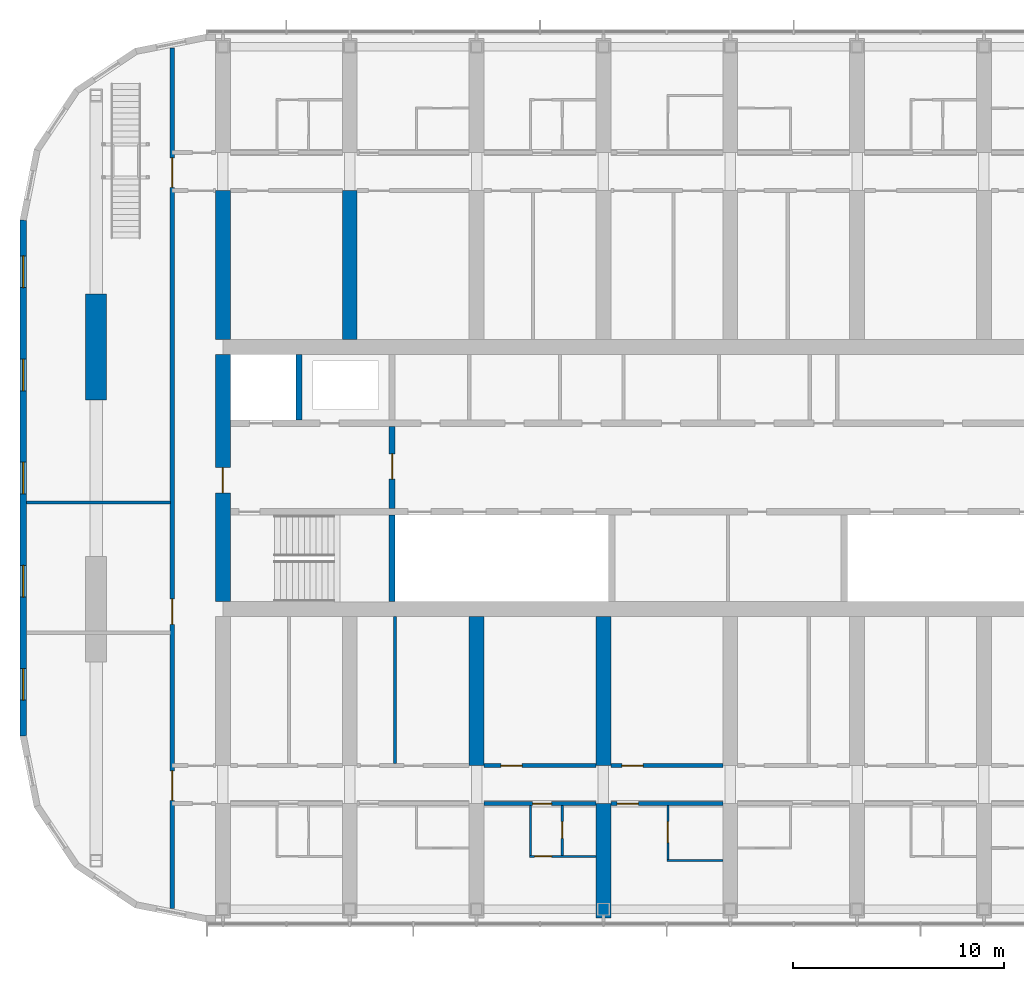
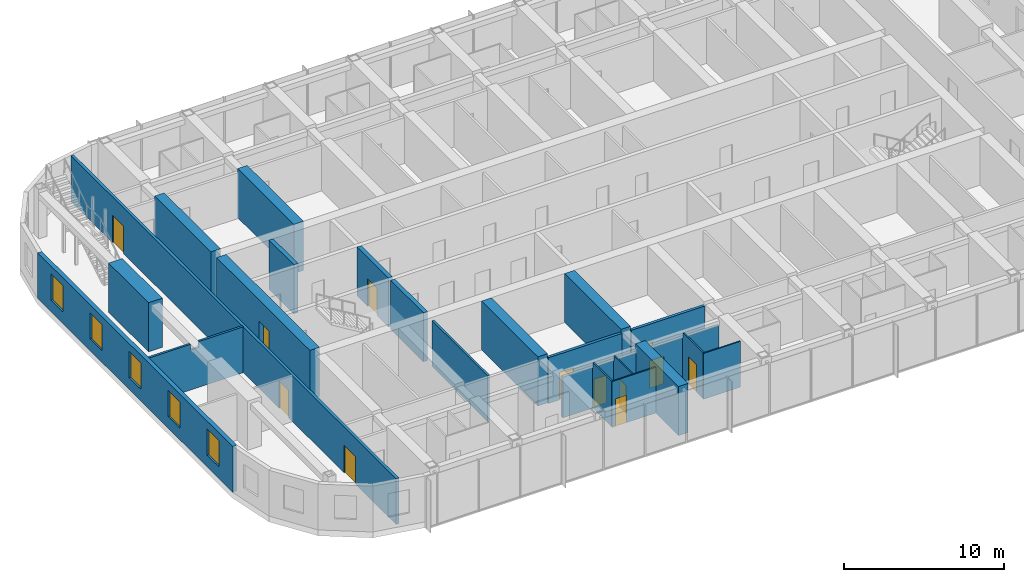
# One storey, part 13 of 26: 23 walls, 12 doors, 5 windows, 17 openings.
"""IFC4 building model written with IfcOpenShell, lengths in metres."""

from ifc_helpers import new_model, si_unit, direction, frame, frame_2d, origin, place, context, subcontext, project, spatial, polyline, rectangle, outline, extrude, material, layer, layer_set, type_object, element, fill, save


model = new_model("IFC4")

# Units and contexts
model_context = context("Model", 3, precision=1e-05, world=origin(), true_north=direction((0.0, 1.0)))
body_context = subcontext(model_context, "Body", "Model", "MODEL_VIEW")
ifc_project = project(units=[si_unit("LENGTHUNIT", "METRE"), si_unit("AREAUNIT", "SQUARE_METRE"), si_unit("VOLUMEUNIT", "CUBIC_METRE"), si_unit("PLANEANGLEUNIT", "RADIAN"), si_unit("MASSUNIT", "GRAM", prefix="KILO")], contexts=[model_context])

# Site, building, storey
site_placement = place(None, origin())
site = spatial("IfcSite", under=ifc_project, at=site_placement, CompositionType="ELEMENT")
building_placement = place(site_placement, origin())
building = spatial("IfcBuilding", under=site, at=building_placement, Name="Orbita Commons", CompositionType="ELEMENT")
storey_placement = place(building_placement, frame((0.0, 0.0, 231.550048828125)))
storey = spatial("IfcBuildingStorey", under=building, at=storey_placement, Name="L57", CompositionType="ELEMENT", Elevation=231.550048828125)

# Wall
ifc_material_1 = material(Name="Concrete C50/60", Category="concrete")
ifc_layer_1 = layer(ifc_material_1, 0.300048828125)
ifc_layer_set_1 = layer_set([ifc_layer_1], Name="Concrete C50/60")
wall_type_1 = type_object("IfcWallType", Name="Core inner wall 300 C50/60", PredefinedType="SHEAR", material=ifc_layer_set_1)
wall_1_placement = place(storey_placement, frame((26.0, 26.14990234375, 0.0), z_axis=(0.0, 0.0, 1.0), x_axis=(0.0, 1.0, 0.0)))
element("IfcWall", 1, at=wall_1_placement, inside=storey, type_object=wall_type_1, Name="Stair S1 wall L57", PredefinedType="SHEAR", context=body_context, shape_type="SweptSolid", body=[
    extrude(rectangle(XDim=4.10009765625, YDim=0.300048828125, at=frame_2d((2.050048828125, 0.0))), origin(), (0.0, 0.0, 1.0), 3.75),
])

# Wall, opening, door
wall_2_placement = place(storey_placement, frame((26.0, 30.550048828125, 0.0), z_axis=(0.0, 0.0, 1.0), x_axis=(0.0, 1.0, 0.0)))
wall_2 = element("IfcWall", 2, at=wall_2_placement, inside=storey, type_object=wall_type_1, Name="Firefighting lobby wall west L57", PredefinedType="SHEAR", context=body_context, shape_type="SweptSolid", body=[
    extrude(rectangle(XDim=3.89990234375, YDim=0.300048828125, at=frame_2d((1.949951171875, 0.0))), origin(), (0.0, 0.0, 1.0), 3.75),
])
opening_1_placement = place(wall_2_placement, frame((1.39990234375, 0.0, 0.0)))
opening_1 = element("IfcOpeningElement", 3, at=opening_1_placement, cuts=wall_2, Name="Opening D04", PredefinedType="OPENING", context=body_context, shape_type="SweptSolid", body=[
    extrude(rectangle(XDim=1.199951171875, YDim=2.10009765625, at=frame_2d((0.60009765625, 1.050048828125))), frame((0.0, 0.159912109375, 0.0), z_axis=(0.0, -1.0, 0.0), x_axis=(1.0, 0.0, 0.0)), (0.0, 0.0, 1.0), 0.320068359375),
])
ifc_material_2 = material(Name="Steel-faced fire door leaf", Category="steel")
door_type_1 = type_object("IfcDoorType", Name="Service door 20 min 1200x2100", OperationType="SINGLE_SWING_LEFT", PredefinedType="DOOR", material=ifc_material_2)
door_1_placement = place(opening_1_placement, origin())
door_1 = element("IfcDoor", 4, at=door_1_placement, inside=storey, type_object=door_type_1, Name="Lift lobby door west", OperationType="SINGLE_SWING_LEFT", OverallHeight=2.10009765625, OverallWidth=1.199951171875, PredefinedType="DOOR", context=body_context, shape_type="SweptSolid", body=[
    extrude(rectangle(XDim=1.199951171875, YDim=2.10009765625, at=frame_2d((0.60009765625, 1.050048828125))), frame((0.0, 0.02490234375, 0.0), z_axis=(0.0, -1.0, 0.0), x_axis=(1.0, 0.0, 0.0)), (0.0, 0.0, 1.0), 0.050048828125),
])
fill(opening_1, door_1)

# Wall
wall_3_placement = place(storey_placement, frame((21.60009765625, 34.75, 0.0), z_axis=(0.0, 0.0, 1.0), x_axis=(0.0, 1.0, 0.0)))
element("IfcWall", 5, at=wall_3_placement, inside=storey, type_object=wall_type_1, Name="Firefighting lift FL1 shaft wall L57", PredefinedType="SHEAR", context=body_context, shape_type="SweptSolid", body=[
    extrude(rectangle(XDim=3.10009765625, YDim=0.300048828125, at=frame_2d((1.550048828125, 0.0))), origin(), (0.0, 0.0, 1.0), 3.75),
])

# Wall, opening, door
ifc_material_3 = material(Name="Concrete C50/60", Category="concrete")
ifc_layer_2 = layer(ifc_material_3, 0.699951171875)
ifc_layer_set_2 = layer_set([ifc_layer_2], Name="Concrete C50/60")
wall_type_2 = type_object("IfcWallType", Name="Core wall 700 C50/60", PredefinedType="SHEAR", material=ifc_layer_set_2)
wall_4_placement = place(storey_placement, frame((18.0, 26.14990234375, 0.0), z_axis=(0.0, 0.0, 1.0), x_axis=(0.0, 1.0, 0.0)))
wall_4 = element("IfcWall", 6, at=wall_4_placement, inside=storey, type_object=wall_type_2, Name="Core end wall west L57", PredefinedType="SHEAR", context=body_context, shape_type="SweptSolid", body=[
    extrude(rectangle(XDim=11.7001953125, YDim=0.699951171875, at=frame_2d((5.85009765625, 0.0))), origin(), (0.0, 0.0, 1.0), 3.75),
])
opening_2_placement = place(wall_4_placement, frame((5.14990234375, 0.0, 0.0)))
opening_2 = element("IfcOpeningElement", 7, at=opening_2_placement, cuts=wall_4, Name="Opening D01", PredefinedType="OPENING", context=body_context, shape_type="SweptSolid", body=[
    extrude(rectangle(XDim=1.199951171875, YDim=2.10009765625, at=frame_2d((0.60009765625, 1.050048828125))), frame((0.0, 0.35986328125, 0.0), z_axis=(0.0, -1.0, 0.0), x_axis=(1.0, 0.0, 0.0)), (0.0, 0.0, 1.0), 0.719970703125),
])
ifc_material_4 = material(Name="Steel-faced fire door leaf", Category="steel")
door_type_2 = type_object("IfcDoorType", Name="Fire door 90 min 1200x2100", OperationType="SINGLE_SWING_LEFT", PredefinedType="DOOR", material=ifc_material_4)
door_2_placement = place(opening_2_placement, origin())
door_2 = element("IfcDoor", 8, at=door_2_placement, inside=storey, type_object=door_type_2, Name="Firefighting lobby west door", OperationType="SINGLE_SWING_LEFT", OverallHeight=2.10009765625, OverallWidth=1.199951171875, PredefinedType="DOOR", context=body_context, shape_type="SweptSolid", body=[
    extrude(rectangle(XDim=1.199951171875, YDim=2.10009765625, at=frame_2d((0.60009765625, 1.050048828125))), frame((0.0, 0.02490234375, 0.0), z_axis=(0.0, -1.0, 0.0), x_axis=(1.0, 0.0, 0.0)), (0.0, 0.0, 1.0), 0.050048828125),
])
fill(opening_2, door_2)

ifc_material_5 = material(Name="Concrete blockwork", Category="masonry")
ifc_layer_3 = layer(ifc_material_5, 0.199951171875)
ifc_layer_set_3 = layer_set([ifc_layer_3], Name="Concrete blockwork")
wall_type_3 = type_object("IfcWallType", Name="Corridor wall 200 blockwork", PredefinedType="SOLIDWALL", material=ifc_layer_set_3)
wall_5_placement = place(storey_placement, frame((30.35009765625, 16.60009765625, 0.0), z_axis=(0.0, 0.0, 1.0), x_axis=(1.0, 0.0, 0.0)))
wall_5 = element("IfcWall", 9, at=wall_5_placement, inside=storey, type_object=wall_type_3, Name="Corridor wall 200 blockwork L57", PredefinedType="SOLIDWALL", context=body_context, shape_type="SweptSolid", body=[
    extrude(outline(polyline([(0.0, 0.0), (5.2998046875, 0.0), (5.300048828125, 3.099853515625), (0.0, 3.099853515625), (0.0, 0.0)])), frame((0.0, 0.10009765625, 0.0), z_axis=(0.0, -1.0, 0.0), x_axis=(1.0, 0.0, 0.0)), (0.0, 0.0, 1.0), 0.199951171875),
])
opening_3_placement = place(wall_5_placement, frame((2.300048828125, 0.0, 0.0)))
opening_3 = element("IfcOpeningElement", 10, at=opening_3_placement, cuts=wall_5, Name="Opening D11", PredefinedType="OPENING", context=body_context, shape_type="SweptSolid", body=[
    extrude(rectangle(XDim=0.89990234375, YDim=2.10009765625, at=frame_2d((0.449951171875, 1.050048828125))), frame((0.0, 0.10986328125, 0.0), z_axis=(0.0, -1.0, 0.0), x_axis=(1.0, 0.0, 0.0)), (0.0, 0.0, 1.0), 0.219970703125),
])
ifc_material_6 = material(Name="Steel-faced fire door leaf", Category="steel")
door_type_3 = type_object("IfcDoorType", Name="Corridor door 20 min 900x2100", OperationType="SINGLE_SWING_LEFT", PredefinedType="DOOR", material=ifc_material_6)
door_3_placement = place(opening_3_placement, origin())
door_3 = element("IfcDoor", 11, at=door_3_placement, inside=storey, type_object=door_type_3, Name="Studio flat L57-S04 entrance door", OperationType="SINGLE_SWING_LEFT", OverallHeight=2.10009765625, OverallWidth=0.89990234375, PredefinedType="DOOR", context=body_context, shape_type="SweptSolid", body=[
    extrude(rectangle(XDim=0.89990234375, YDim=2.10009765625, at=frame_2d((0.449951171875, 1.050048828125))), frame((0.0, 0.02490234375, 0.0), z_axis=(0.0, -1.0, 0.0), x_axis=(1.0, 0.0, 0.0)), (0.0, 0.0, 1.0), 0.050048828125),
])
fill(opening_3, door_3)

wall_6_placement = place(storey_placement, frame((36.35009765625, 16.60009765625, 0.0), z_axis=(0.0, 0.0, 1.0), x_axis=(1.0, 0.0, 0.0)))
wall_6 = element("IfcWall", 12, at=wall_6_placement, inside=storey, type_object=wall_type_3, Name="Corridor wall 200 blockwork L57", PredefinedType="SOLIDWALL", context=body_context, shape_type="SweptSolid", body=[
    extrude(outline(polyline([(0.0, 0.0), (5.2998046875, 0.0), (5.300048828125, 3.099853515625), (0.0, 3.099853515625), (0.0, 0.0)])), frame((0.0, 0.10009765625, 0.0), z_axis=(0.0, -1.0, 0.0), x_axis=(1.0, 0.0, 0.0)), (0.0, 0.0, 1.0), 0.199951171875),
])
opening_4_placement = place(wall_6_placement, frame((0.300048828125, 0.0, 0.0)))
opening_4 = element("IfcOpeningElement", 13, at=opening_4_placement, cuts=wall_6, Name="Opening D06", PredefinedType="OPENING", context=body_context, shape_type="SweptSolid", body=[
    extrude(rectangle(XDim=1.0, YDim=2.10009765625, at=frame_2d((0.5, 1.050048828125))), frame((0.0, 0.10986328125, 0.0), z_axis=(0.0, -1.0, 0.0), x_axis=(1.0, 0.0, 0.0)), (0.0, 0.0, 1.0), 0.219970703125),
])
ifc_material_7 = material(Name="Steel-faced fire door leaf", Category="steel")
door_type_4 = type_object("IfcDoorType", Name="Corridor door 20 min 1000x2100", OperationType="SINGLE_SWING_LEFT", PredefinedType="DOOR", material=ifc_material_7)
door_4_placement = place(opening_4_placement, origin())
door_4 = element("IfcDoor", 14, at=door_4_placement, inside=storey, type_object=door_type_4, Name="Accessible bedroom L57-S06 door", OperationType="SINGLE_SWING_LEFT", OverallHeight=2.10009765625, OverallWidth=1.0, PredefinedType="DOOR", context=body_context, shape_type="SweptSolid", body=[
    extrude(rectangle(XDim=1.0, YDim=2.10009765625, at=frame_2d((0.5, 1.050048828125))), frame((0.0, 0.02490234375, 0.0), z_axis=(0.0, -1.0, 0.0), x_axis=(1.0, 0.0, 0.0)), (0.0, 0.0, 1.0), 0.050048828125),
])
fill(opening_4, door_4)

# Wall, openings, doors
wall_7_placement = place(storey_placement, frame((15.60009765625, 11.646240234375, 0.0), z_axis=(0.0, 0.0, 1.0), x_axis=(0.0, 1.0, 0.0)))
wall_7 = element("IfcWall", 15, at=wall_7_placement, inside=storey, type_object=wall_type_3, Name="Corridor wall 200 blockwork L57", PredefinedType="SOLIDWALL", context=body_context, shape_type="SweptSolid", body=[
    extrude(rectangle(XDim=40.70751953125, YDim=0.199951171875, at=frame_2d((20.353759765625, 0.0))), origin(), (0.0, 0.0, 1.0), 3.5),
])
opening_5_placement = place(wall_7_placement, frame((13.433837890625, 0.0, 0.0)))
opening_5 = element("IfcOpeningElement", 16, at=opening_5_placement, cuts=wall_7, Name="Opening D15", PredefinedType="OPENING", context=body_context, shape_type="SweptSolid", body=[
    extrude(rectangle(XDim=1.199951171875, YDim=2.10009765625, at=frame_2d((0.60009765625, 1.050048828125))), frame((0.0, 0.10986328125, 0.0), z_axis=(0.0, -1.0, 0.0), x_axis=(1.0, 0.0, 0.0)), (0.0, 0.0, 1.0), 0.219970703125),
])
opening_6_placement = place(wall_7_placement, frame((5.103759765625, 0.0, 0.0)))
opening_6 = element("IfcOpeningElement", 17, at=opening_6_placement, cuts=wall_7, Name="Opening D08", PredefinedType="OPENING", context=body_context, shape_type="SweptSolid", body=[
    extrude(rectangle(XDim=1.39990234375, YDim=2.10009765625, at=frame_2d((0.699951171875, 1.050048828125))), frame((0.0, 0.10986328125, 0.0), z_axis=(0.0, -1.0, 0.0), x_axis=(1.0, 0.0, 0.0)), (0.0, 0.0, 1.0), 0.219970703125),
])
opening_7_placement = place(wall_7_placement, frame((34.103759765625, 0.0, 0.0)))
opening_7 = element("IfcOpeningElement", 18, at=opening_7_placement, cuts=wall_7, Name="Opening D08", PredefinedType="OPENING", context=body_context, shape_type="SweptSolid", body=[
    extrude(rectangle(XDim=1.39990234375, YDim=2.10009765625, at=frame_2d((0.699951171875, 1.050048828125))), frame((0.0, 0.10986328125, 0.0), z_axis=(0.0, -1.0, 0.0), x_axis=(1.0, 0.0, 0.0)), (0.0, 0.0, 1.0), 0.219970703125),
])
ifc_material_8 = material(Name="Steel-faced fire door leaf", Category="steel")
door_type_5 = type_object("IfcDoorType", Name="Corridor door 20 min 1200x2100", OperationType="SINGLE_SWING_LEFT", PredefinedType="DOOR", material=ifc_material_8)
door_5_placement = place(opening_5_placement, origin())
door_5 = element("IfcDoor", 19, at=door_5_placement, inside=storey, type_object=door_type_5, Name="Study hall door", OperationType="SINGLE_SWING_LEFT", OverallHeight=2.10009765625, OverallWidth=1.199951171875, PredefinedType="DOOR", context=body_context, shape_type="SweptSolid", body=[
    extrude(rectangle(XDim=1.199951171875, YDim=2.10009765625, at=frame_2d((0.60009765625, 1.050048828125))), frame((0.0, 0.02490234375, 0.0), z_axis=(0.0, -1.0, 0.0), x_axis=(1.0, 0.0, 0.0)), (0.0, 0.0, 1.0), 0.050048828125),
])
fill(opening_5, door_5)
ifc_material_9 = material(Name="Steel-faced fire door leaf", Category="steel")
door_type_6 = type_object("IfcDoorType", Name="Double corridor door 20 min 1400x2100", OperationType="DOUBLE_DOOR_SINGLE_SWING", PredefinedType="DOOR", material=ifc_material_9)
door_6_placement = place(opening_6_placement, origin())
door_6 = element("IfcDoor", 20, at=door_6_placement, inside=storey, type_object=door_type_6, Name="Lounge doors", OperationType="DOUBLE_DOOR_SINGLE_SWING", OverallHeight=2.10009765625, OverallWidth=1.39990234375, PredefinedType="DOOR", context=body_context, shape_type="SweptSolid", body=[
    extrude(rectangle(XDim=1.39990234375, YDim=2.10009765625, at=frame_2d((0.699951171875, 1.050048828125))), frame((0.0, 0.02490234375, 0.0), z_axis=(0.0, -1.0, 0.0), x_axis=(1.0, 0.0, 0.0)), (0.0, 0.0, 1.0), 0.050048828125),
])
fill(opening_6, door_6)
door_7_placement = place(opening_7_placement, origin())
door_7 = element("IfcDoor", 21, at=door_7_placement, inside=storey, type_object=door_type_6, Name="Lounge doors", OperationType="DOUBLE_DOOR_SINGLE_SWING", OverallHeight=2.10009765625, OverallWidth=1.39990234375, PredefinedType="DOOR", context=body_context, shape_type="SweptSolid", body=[
    extrude(rectangle(XDim=1.39990234375, YDim=2.10009765625, at=frame_2d((0.699951171875, 1.050048828125))), frame((0.0, 0.02490234375, 0.0), z_axis=(0.0, -1.0, 0.0), x_axis=(1.0, 0.0, 0.0)), (0.0, 0.0, 1.0), 0.050048828125),
])
fill(opening_7, door_7)

# Wall, opening, door
ifc_material_10 = material(Name="Hollow concrete block 200", Category="concrete")
ifc_layer_4 = layer(ifc_material_10, 0.199951171875)
ifc_layer_set_4 = layer_set([ifc_layer_4], Name="Hollow concrete block 200")
wall_type_4 = type_object("IfcWallType", Name="Corridor wall 200 hollow concrete block", PredefinedType="SOLIDWALL", material=ifc_layer_set_4)
wall_8_placement = place(storey_placement, frame((30.35009765625, 18.39990234375, 0.0), z_axis=(0.0, 0.0, 1.0), x_axis=(1.0, 0.0, 0.0)))
wall_8 = element("IfcWall", 22, at=wall_8_placement, inside=storey, type_object=wall_type_4, Name="Corridor wall 200 hollow concrete block L57", PredefinedType="SOLIDWALL", context=body_context, shape_type="SweptSolid", body=[
    extrude(rectangle(XDim=5.2998046875, YDim=0.199951171875, at=frame_2d((2.64990234375, 0.0))), origin(), (0.0, 0.0, 1.0), 3.5),
])
opening_8_placement = place(wall_8_placement, frame((0.800048828125, 0.0, 0.0)))
opening_8 = element("IfcOpeningElement", 23, at=opening_8_placement, cuts=wall_8, Name="Opening D06", PredefinedType="OPENING", context=body_context, shape_type="SweptSolid", body=[
    extrude(rectangle(XDim=1.0, YDim=2.10009765625, at=frame_2d((0.5, 1.050048828125))), frame((0.0, 0.10986328125, 0.0), z_axis=(0.0, -1.0, 0.0), x_axis=(1.0, 0.0, 0.0)), (0.0, 0.0, 1.0), 0.219970703125),
])
door_8_placement = place(opening_8_placement, origin())
door_8 = element("IfcDoor", 24, at=door_8_placement, inside=storey, type_object=door_type_4, Name="Pantry L57-BDS30 door", OperationType="SINGLE_SWING_LEFT", OverallHeight=2.10009765625, OverallWidth=1.0, PredefinedType="DOOR", context=body_context, shape_type="SweptSolid", body=[
    extrude(rectangle(XDim=1.0, YDim=2.10009765625, at=frame_2d((0.5, 1.050048828125))), frame((0.0, 0.02490234375, 0.0), z_axis=(0.0, -1.0, 0.0), x_axis=(1.0, 0.0, 0.0)), (0.0, 0.0, 1.0), 0.050048828125),
])
fill(opening_8, door_8)

wall_9_placement = place(storey_placement, frame((36.35009765625, 18.39990234375, 0.0), z_axis=(0.0, 0.0, 1.0), x_axis=(1.0, 0.0, 0.0)))
wall_9 = element("IfcWall", 25, at=wall_9_placement, inside=storey, type_object=wall_type_4, Name="Corridor wall 200 hollow concrete block L57", PredefinedType="SOLIDWALL", context=body_context, shape_type="SweptSolid", body=[
    extrude(rectangle(XDim=5.2998046875, YDim=0.199951171875, at=frame_2d((2.64990234375, 0.0))), origin(), (0.0, 0.0, 1.0), 3.5),
])
opening_9_placement = place(wall_9_placement, frame((0.52490234375, 0.0, 0.0)))
opening_9 = element("IfcOpeningElement", 26, at=opening_9_placement, cuts=wall_9, Name="Opening D06", PredefinedType="OPENING", context=body_context, shape_type="SweptSolid", body=[
    extrude(rectangle(XDim=1.0, YDim=2.10009765625, at=frame_2d((0.5, 1.050048828125))), frame((0.0, 0.10986328125, 0.0), z_axis=(0.0, -1.0, 0.0), x_axis=(1.0, 0.0, 0.0)), (0.0, 0.0, 1.0), 0.219970703125),
])
door_9_placement = place(opening_9_placement, origin())
door_9 = element("IfcDoor", 27, at=door_9_placement, inside=storey, type_object=door_type_4, Name="IT and print room L57-BDS36 door", OperationType="SINGLE_SWING_LEFT", OverallHeight=2.10009765625, OverallWidth=1.0, PredefinedType="DOOR", context=body_context, shape_type="SweptSolid", body=[
    extrude(rectangle(XDim=1.0, YDim=2.10009765625, at=frame_2d((0.5, 1.050048828125))), frame((0.0, 0.02490234375, 0.0), z_axis=(0.0, -1.0, 0.0), x_axis=(1.0, 0.0, 0.0)), (0.0, 0.0, 1.0), 0.050048828125),
])
fill(opening_9, door_9)

# Walls
ifc_material_11 = material(Name="Concrete C50/60", Category="concrete")
ifc_layer_5 = layer(ifc_material_11, 0.699951171875)
ifc_layer_set_5 = layer_set([ifc_layer_5], Name="Concrete C50/60")
wall_type_5 = type_object("IfcWallType", Name="Cross wall 700 C50/60", PredefinedType="SHEAR", material=ifc_layer_set_5)
for number, where, z_axis, x_axis, name in (
    (28, (18.0, 38.550048828125, 0.0), (0.0, 0.0, 1.0), (0.0, 1.0, 0.0), "Cross wall 4 north inner L57"),
    (29, (24.0, 38.550048828125, 0.0), (0.0, 0.0, 1.0), (0.0, 1.0, 0.0), "Cross wall 5 north inner L57"),
    (30, (30.0, 18.39990234375, 0.0), (0.0, 0.0, 1.0), (0.0, 1.0, 0.0), "Cross wall 6 south inner L57"),
):
    element("IfcWall", number, at=place(storey_placement, frame(where, z_axis=z_axis, x_axis=x_axis)), inside=storey, type_object=wall_type_5, Name=name, PredefinedType="SHEAR", context=body_context, shape_type="SweptSolid", body=[
        extrude(rectangle(XDim=7.050048828125, YDim=0.699951171875, at=frame_2d((3.52490234375, 0.0))), origin(), (0.0, 0.0, 1.0), 3.75),
    ])
wall_10_placement = place(storey_placement, frame((36.0, 11.199951171875, 0.0), z_axis=(0.0, 0.0, 1.0), x_axis=(0.0, 1.0, 0.0)))
element("IfcWall", 31, at=wall_10_placement, inside=storey, type_object=wall_type_5, Name="Cross wall 7 south outer L57", PredefinedType="SHEAR", context=body_context, shape_type="SweptSolid", body=[
    extrude(rectangle(XDim=5.400146484375, YDim=0.699951171875, at=frame_2d((2.7001953125, 0.0))), origin(), (0.0, 0.0, 1.0), 3.75),
])
wall_11_placement = place(storey_placement, frame((36.0, 18.39990234375, 0.0), z_axis=(0.0, 0.0, 1.0), x_axis=(0.0, 1.0, 0.0)))
element("IfcWall", 32, at=wall_11_placement, inside=storey, type_object=wall_type_5, Name="Cross wall 7 south inner L57", PredefinedType="SHEAR", context=body_context, shape_type="SweptSolid", body=[
    extrude(rectangle(XDim=7.050048828125, YDim=0.699951171875, at=frame_2d((3.52490234375, 0.0))), origin(), (0.0, 0.0, 1.0), 3.75),
])

# Wall, opening, door
ifc_material_12 = material(Name="Moisture-resistant plasterboard on steel studs", Category="steel")
ifc_layer_6 = layer(ifc_material_12, 0.10009765625)
ifc_layer_set_6 = layer_set([ifc_layer_6], Name="Moisture-resistant plasterboard on steel studs")
wall_type_6 = type_object("IfcWallType", Name="En-suite partition 100", PredefinedType="PARTITIONING", material=ifc_layer_set_6)
wall_12_placement = place(storey_placement, frame((35.64990234375, 14.10009765625, 0.0), z_axis=(0.0, 0.0, 1.0), x_axis=(-1.0, 0.0, 0.0)))
wall_12 = element("IfcWall", 33, at=wall_12_placement, inside=storey, type_object=wall_type_6, Name="En-suite partition 100 L57", PredefinedType="PARTITIONING", context=body_context, shape_type="SweptSolid", body=[
    extrude(rectangle(XDim=3.14990234375, YDim=0.10009765625, at=frame_2d((1.574951171875, 0.0))), origin(), (0.0, 0.0, 1.0), 3.5),
])
opening_10_placement = place(wall_12_placement, frame((2.10009765625, 0.0, 0.0)))
opening_10 = element("IfcOpeningElement", 34, at=opening_10_placement, cuts=wall_12, Name="Opening D16", PredefinedType="OPENING", context=body_context, shape_type="SweptSolid", body=[
    extrude(rectangle(XDim=0.800048828125, YDim=2.10009765625, at=frame_2d((0.39990234375, 1.050048828125))), frame((0.0, 0.06005859375, 0.0), z_axis=(0.0, -1.0, 0.0), x_axis=(1.0, 0.0, 0.0)), (0.0, 0.0, 1.0), 0.1201171875),
])
ifc_material_13 = material(Name="Laminated timber door leaf", Category="wood")
door_type_7 = type_object("IfcDoorType", Name="En-suite door 800x2100", OperationType="SINGLE_SWING_RIGHT", PredefinedType="DOOR", material=ifc_material_13)
door_10_placement = place(opening_10_placement, origin())
door_10 = element("IfcDoor", 35, at=door_10_placement, inside=storey, type_object=door_type_7, Name="Studio flat L57-S04 door", OperationType="SINGLE_SWING_RIGHT", OverallHeight=2.10009765625, OverallWidth=0.800048828125, PredefinedType="DOOR", context=body_context, shape_type="SweptSolid", body=[
    extrude(rectangle(XDim=0.800048828125, YDim=2.10009765625, at=frame_2d((0.39990234375, 1.050048828125))), frame((0.0, 0.02490234375, 0.0), z_axis=(0.0, -1.0, 0.0), x_axis=(1.0, 0.0, 0.0)), (0.0, 0.0, 1.0), 0.050048828125),
])
fill(opening_10, door_10)

# Wall
wall_13_placement = place(storey_placement, frame((32.550048828125, 14.14990234375, 0.0), z_axis=(0.0, 0.0, 1.0), x_axis=(0.0, 1.0, 0.0)))
element("IfcWall", 36, at=wall_13_placement, inside=storey, type_object=wall_type_6, Name="En-suite partition 100 L57", PredefinedType="PARTITIONING", context=body_context, shape_type="SweptSolid", body=[
    extrude(outline(polyline([(0.0, 0.0), (2.35009765625, 0.0), (2.35009765625, 3.099853515625), (2.302001953125, 3.099853515625), (2.300048828125, 3.5), (0.0, 3.5), (0.0, 0.0)])), frame((0.0, 0.050048828125, 0.0), z_axis=(0.0, -1.0, 0.0), x_axis=(1.0, 0.0, 0.0)), (0.0, 0.0, 1.0), 0.10009765625),
])

# Wall, opening, door
wall_14_placement = place(storey_placement, frame((34.050048828125, 14.14990234375, 0.0), z_axis=(0.0, 0.0, 1.0), x_axis=(0.0, 1.0, 0.0)))
wall_14 = element("IfcWall", 37, at=wall_14_placement, inside=storey, type_object=wall_type_6, Name="En-suite partition 100 L57", PredefinedType="PARTITIONING", context=body_context, shape_type="SweptSolid", body=[
    extrude(outline(polyline([(0.0, 0.0), (2.35009765625, 0.0), (2.35009765625, 3.099853515625), (2.302001953125, 3.099853515625), (2.300048828125, 3.5), (0.0, 3.5), (0.0, 0.0)])), frame((0.0, 0.050048828125, 0.0), z_axis=(0.0, -1.0, 0.0), x_axis=(1.0, 0.0, 0.0)), (0.0, 0.0, 1.0), 0.10009765625),
])
opening_11_placement = place(wall_14_placement, frame((0.800048828125, 0.0, 0.0)))
opening_11 = element("IfcOpeningElement", 38, at=opening_11_placement, cuts=wall_14, Name="Opening D16", PredefinedType="OPENING", context=body_context, shape_type="SweptSolid", body=[
    extrude(rectangle(XDim=0.800048828125, YDim=2.10009765625, at=frame_2d((0.39990234375, 1.050048828125))), frame((0.0, 0.06005859375, 0.0), z_axis=(0.0, -1.0, 0.0), x_axis=(1.0, 0.0, 0.0)), (0.0, 0.0, 1.0), 0.1201171875),
])
door_11_placement = place(opening_11_placement, origin())
door_11 = element("IfcDoor", 39, at=door_11_placement, inside=storey, type_object=door_type_7, Name="Studio flat shower room L57-S04 door", OperationType="SINGLE_SWING_RIGHT", OverallHeight=2.10009765625, OverallWidth=0.800048828125, PredefinedType="DOOR", context=body_context, shape_type="SweptSolid", body=[
    extrude(rectangle(XDim=0.800048828125, YDim=2.10009765625, at=frame_2d((0.39990234375, 1.050048828125))), frame((0.0, 0.02490234375, 0.0), z_axis=(0.0, -1.0, 0.0), x_axis=(1.0, 0.0, 0.0)), (0.0, 0.0, 1.0), 0.050048828125),
])
fill(opening_11, door_11)

# Wall
wall_15_placement = place(storey_placement, frame((39.0, 13.89990234375, 0.0), z_axis=(0.0, 0.0, 1.0), x_axis=(1.0, 0.0, 0.0)))
element("IfcWall", 40, at=wall_15_placement, inside=storey, type_object=wall_type_6, Name="En-suite partition 100 L57", PredefinedType="PARTITIONING", context=body_context, shape_type="SweptSolid", body=[
    extrude(rectangle(XDim=2.64990234375, YDim=0.10009765625, at=frame_2d((1.324951171875, 0.0))), origin(), (0.0, 0.0, 1.0), 3.5),
])

# Wall, opening, door
wall_16_placement = place(storey_placement, frame((39.050048828125, 13.949951171875, 0.0), z_axis=(0.0, 0.0, 1.0), x_axis=(0.0, 1.0, 0.0)))
wall_16 = element("IfcWall", 41, at=wall_16_placement, inside=storey, type_object=wall_type_6, Name="En-suite partition 100 L57", PredefinedType="PARTITIONING", context=body_context, shape_type="SweptSolid", body=[
    extrude(outline(polyline([(0.0, 0.0), (2.550048828125, 0.0), (2.550048828125, 3.099853515625), (2.501953125, 3.099853515625), (2.5, 3.5), (0.0, 3.5), (0.0, 0.0)])), frame((0.0, 0.050048828125, 0.0), z_axis=(0.0, -1.0, 0.0), x_axis=(1.0, 0.0, 0.0)), (0.0, 0.0, 1.0), 0.10009765625),
])
opening_12_placement = place(wall_16_placement, frame((0.800048828125, 0.0, 0.0)))
opening_12 = element("IfcOpeningElement", 42, at=opening_12_placement, cuts=wall_16, Name="Opening D13", PredefinedType="OPENING", context=body_context, shape_type="SweptSolid", body=[
    extrude(rectangle(XDim=1.0, YDim=2.10009765625, at=frame_2d((0.5, 1.050048828125))), frame((0.0, 0.06005859375, 0.0), z_axis=(0.0, -1.0, 0.0), x_axis=(1.0, 0.0, 0.0)), (0.0, 0.0, 1.0), 0.1201171875),
])
ifc_material_14 = material(Name="Laminated timber door leaf", Category="wood")
door_type_8 = type_object("IfcDoorType", Name="En-suite door 1000x2100", OperationType="SINGLE_SWING_RIGHT", PredefinedType="DOOR", material=ifc_material_14)
door_12_placement = place(opening_12_placement, origin())
door_12 = element("IfcDoor", 43, at=door_12_placement, inside=storey, type_object=door_type_8, Name="Accessible shower room L57-S06 door", OperationType="SINGLE_SWING_RIGHT", OverallHeight=2.10009765625, OverallWidth=1.0, PredefinedType="DOOR", context=body_context, shape_type="SweptSolid", body=[
    extrude(rectangle(XDim=1.0, YDim=2.10009765625, at=frame_2d((0.5, 1.050048828125))), frame((0.0, 0.02490234375, 0.0), z_axis=(0.0, -1.0, 0.0), x_axis=(1.0, 0.0, 0.0)), (0.0, 0.0, 1.0), 0.050048828125),
])
fill(opening_12, door_12)

# Walls
ifc_material_15 = material(Name="Concrete C50/60", Category="concrete")
ifc_layer_7 = layer(ifc_material_15, 1.0)
ifc_layer_set_7 = layer_set([ifc_layer_7], Name="Concrete C50/60")
wall_type_7 = type_object("IfcWallType", Name="End pier 1000x5000 C50/60", PredefinedType="SHEAR", material=ifc_layer_set_7)
wall_17_placement = place(storey_placement, frame((12.0, 35.699951171875, 0.0), z_axis=(0.0, 0.0, 1.0), x_axis=(0.0, 1.0, 0.0)))
element("IfcWall", 44, at=wall_17_placement, inside=storey, type_object=wall_type_7, Name="End pier 3/D L57", PredefinedType="SHEAR", context=body_context, shape_type="SweptSolid", body=[
    extrude(rectangle(XDim=5.0, YDim=1.0, at=frame_2d((2.5, 0.0))), origin(), (0.0, 0.0, 1.0), 3.75),
])
ifc_material_16 = material(Name="Gypsum plasterboard on steel studs", Category="steel")
ifc_layer_8 = layer(ifc_material_16, 0.14990234375)
ifc_layer_set_8 = layer_set([ifc_layer_8], Name="Gypsum plasterboard on steel studs")
wall_type_8 = type_object("IfcWallType", Name="Partition 150 plasterboard", PredefinedType="PARTITIONING", material=ifc_layer_set_8)
wall_18_placement = place(storey_placement, frame((26.14501953125, 18.5, 0.0), z_axis=(0.0, 0.0, 1.0), x_axis=(0.0, 1.0, 0.0)))
element("IfcWall", 45, at=wall_18_placement, inside=storey, type_object=wall_type_8, Name="Partition 150 plasterboard L57", PredefinedType="PARTITIONING", context=body_context, shape_type="SweptSolid", body=[
    extrude(rectangle(XDim=6.949951171875, YDim=0.14990234375, at=frame_2d((3.47509765625, 0.0))), origin(), (0.0, 0.0, 1.0), 3.5),
])
wall_19_placement = place(storey_placement, frame((8.705078125, 30.85009765625, 0.0), z_axis=(0.0, 0.0, 1.0), x_axis=(1.0, 0.0, 0.0)))
element("IfcWall", 46, at=wall_19_placement, inside=storey, type_object=wall_type_8, Name="Partition 150 plasterboard L57", PredefinedType="PARTITIONING", context=body_context, shape_type="SweptSolid", body=[
    extrude(outline(polyline([(0.0, 0.0), (6.81982421875, 0.0), (6.820068359375, 3.5), (3.596923828125, 3.5), (3.594970703125, 3.050048828125), (2.9970703125, 3.050048828125), (2.9951171875, 3.5), (0.0, 3.5), (0.0, 0.0)])), frame((0.0, 0.074951171875, 0.0), z_axis=(0.0, -1.0, 0.0), x_axis=(1.0, 0.0, 0.0)), (0.0, 0.0, 1.0), 0.14990234375),
])

# Wall, openings, windows
ifc_material_17 = material(Name="Precast concrete C40/50, white board-marked finish", Category="concrete")
ifc_layer_9 = layer(ifc_material_17, 0.300048828125)
ifc_layer_set_9 = layer_set([ifc_layer_9], Name="Precast concrete C40/50, white board-marked finish")
wall_type_9 = type_object("IfcWallType", Name="Precast concrete end shield 300", PredefinedType="SOLIDWALL", material=ifc_layer_set_9)
wall_20_placement = place(storey_placement, frame((8.550048828125, 44.199951171875, 0.0), z_axis=(0.0, 0.0, 1.0), x_axis=(0.0, -1.0, 0.0)))
wall_20 = element("IfcWall", 47, at=wall_20_placement, inside=storey, type_object=wall_type_9, Name="End shield W L57", PredefinedType="SOLIDWALL", context=body_context, shape_type="SweptSolid", body=[
    extrude(outline(polyline([(-0.014892578125, -0.14990234375), (24.414794921875, -0.14990234375), (24.385009765625, 0.14990234375), (0.014892578125, 0.14990234375), (-0.014892578125, -0.14990234375)])), origin(), (0.0, 0.0, 1.0), 3.5),
])
opening_13_placement = place(wall_20_placement, frame((1.68994140625, 0.0, 0.89990234375)))
opening_13 = element("IfcOpeningElement", 48, at=opening_13_placement, cuts=wall_20, Name="Opening W01", PredefinedType="OPENING", context=body_context, shape_type="SweptSolid", body=[
    extrude(rectangle(XDim=1.5, YDim=2.0, at=frame_2d((0.75, 1.0))), frame((0.0, 0.159912109375, 0.0), z_axis=(0.0, -1.0, 0.0), x_axis=(1.0, 0.0, 0.0)), (0.0, 0.0, 1.0), 0.320068359375),
])
opening_14_placement = place(wall_20_placement, frame((6.570068359375, 0.0, 0.89990234375)))
opening_14 = element("IfcOpeningElement", 49, at=opening_14_placement, cuts=wall_20, Name="Opening W01", PredefinedType="OPENING", context=body_context, shape_type="SweptSolid", body=[
    extrude(rectangle(XDim=1.5, YDim=2.0, at=frame_2d((0.75, 1.0))), frame((0.0, 0.159912109375, 0.0), z_axis=(0.0, -1.0, 0.0), x_axis=(1.0, 0.0, 0.0)), (0.0, 0.0, 1.0), 0.320068359375),
])
opening_15_placement = place(wall_20_placement, frame((11.449951171875, 0.0, 0.89990234375)))
opening_15 = element("IfcOpeningElement", 50, at=opening_15_placement, cuts=wall_20, Name="Opening W01", PredefinedType="OPENING", context=body_context, shape_type="SweptSolid", body=[
    extrude(rectangle(XDim=1.5, YDim=2.0, at=frame_2d((0.75, 1.0))), frame((0.0, 0.159912109375, 0.0), z_axis=(0.0, -1.0, 0.0), x_axis=(1.0, 0.0, 0.0)), (0.0, 0.0, 1.0), 0.320068359375),
])
opening_16_placement = place(wall_20_placement, frame((16.330078125, 0.0, 0.89990234375)))
opening_16 = element("IfcOpeningElement", 51, at=opening_16_placement, cuts=wall_20, Name="Opening W01", PredefinedType="OPENING", context=body_context, shape_type="SweptSolid", body=[
    extrude(rectangle(XDim=1.5, YDim=2.0, at=frame_2d((0.75, 1.0))), frame((0.0, 0.159912109375, 0.0), z_axis=(0.0, -1.0, 0.0), x_axis=(1.0, 0.0, 0.0)), (0.0, 0.0, 1.0), 0.320068359375),
])
opening_17_placement = place(wall_20_placement, frame((21.2099609375, 0.0, 0.89990234375)))
opening_17 = element("IfcOpeningElement", 52, at=opening_17_placement, cuts=wall_20, Name="Opening W01", PredefinedType="OPENING", context=body_context, shape_type="SweptSolid", body=[
    extrude(rectangle(XDim=1.5, YDim=2.0, at=frame_2d((0.75, 1.0))), frame((0.0, 0.159912109375, 0.0), z_axis=(0.0, -1.0, 0.0), x_axis=(1.0, 0.0, 0.0)), (0.0, 0.0, 1.0), 0.320068359375),
])
ifc_material_18 = material(Name="Aluminium frame, clear double glazing", Category="aluminium")
window_type = type_object("IfcWindowType", Name="Deep-set window 1500x2000", PartitioningType="SINGLE_PANEL", PredefinedType="WINDOW", material=ifc_material_18)
window_1_placement = place(opening_13_placement, origin())
window_1 = element("IfcWindow", 53, at=window_1_placement, inside=storey, type_object=window_type, Name="Window L57-W 1", OverallHeight=2.0, OverallWidth=1.5, PartitioningType="SINGLE_PANEL", PredefinedType="WINDOW", context=body_context, shape_type="SweptSolid", body=[
    extrude(rectangle(XDim=1.5, YDim=2.0, at=frame_2d((0.75, 1.0))), frame((0.0, 0.030029296875, 0.0), z_axis=(0.0, -1.0, 0.0), x_axis=(1.0, 0.0, 0.0)), (0.0, 0.0, 1.0), 0.06005859375),
])
fill(opening_13, window_1)
window_2_placement = place(opening_14_placement, origin())
window_2 = element("IfcWindow", 54, at=window_2_placement, inside=storey, type_object=window_type, Name="Window L57-W 2", OverallHeight=2.0, OverallWidth=1.5, PartitioningType="SINGLE_PANEL", PredefinedType="WINDOW", context=body_context, shape_type="SweptSolid", body=[
    extrude(rectangle(XDim=1.5, YDim=2.0, at=frame_2d((0.75, 1.0))), frame((0.0, 0.030029296875, 0.0), z_axis=(0.0, -1.0, 0.0), x_axis=(1.0, 0.0, 0.0)), (0.0, 0.0, 1.0), 0.06005859375),
])
fill(opening_14, window_2)
window_3_placement = place(opening_15_placement, origin())
window_3 = element("IfcWindow", 55, at=window_3_placement, inside=storey, type_object=window_type, Name="Window L57-W 3", OverallHeight=2.0, OverallWidth=1.5, PartitioningType="SINGLE_PANEL", PredefinedType="WINDOW", context=body_context, shape_type="SweptSolid", body=[
    extrude(rectangle(XDim=1.5, YDim=2.0, at=frame_2d((0.75, 1.0))), frame((0.0, 0.030029296875, 0.0), z_axis=(0.0, -1.0, 0.0), x_axis=(1.0, 0.0, 0.0)), (0.0, 0.0, 1.0), 0.06005859375),
])
fill(opening_15, window_3)
window_4_placement = place(opening_16_placement, origin())
window_4 = element("IfcWindow", 56, at=window_4_placement, inside=storey, type_object=window_type, Name="Window L57-W 4", OverallHeight=2.0, OverallWidth=1.5, PartitioningType="SINGLE_PANEL", PredefinedType="WINDOW", context=body_context, shape_type="SweptSolid", body=[
    extrude(rectangle(XDim=1.5, YDim=2.0, at=frame_2d((0.75, 1.0))), frame((0.0, 0.030029296875, 0.0), z_axis=(0.0, -1.0, 0.0), x_axis=(1.0, 0.0, 0.0)), (0.0, 0.0, 1.0), 0.06005859375),
])
fill(opening_16, window_4)
window_5_placement = place(opening_17_placement, origin())
window_5 = element("IfcWindow", 57, at=window_5_placement, inside=storey, type_object=window_type, Name="Window L57-W 5", OverallHeight=2.0, OverallWidth=1.5, PartitioningType="SINGLE_PANEL", PredefinedType="WINDOW", context=body_context, shape_type="SweptSolid", body=[
    extrude(rectangle(XDim=1.5, YDim=2.0, at=frame_2d((0.75, 1.0))), frame((0.0, 0.030029296875, 0.0), z_axis=(0.0, -1.0, 0.0), x_axis=(1.0, 0.0, 0.0)), (0.0, 0.0, 1.0), 0.06005859375),
])
fill(opening_17, window_5)

save(model, "model.ifc")
